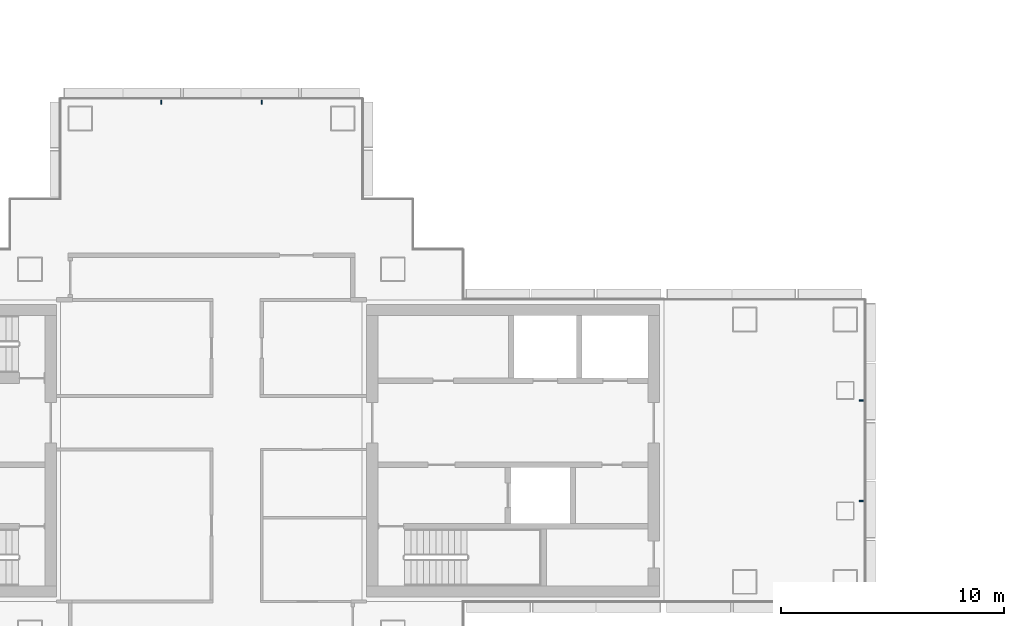
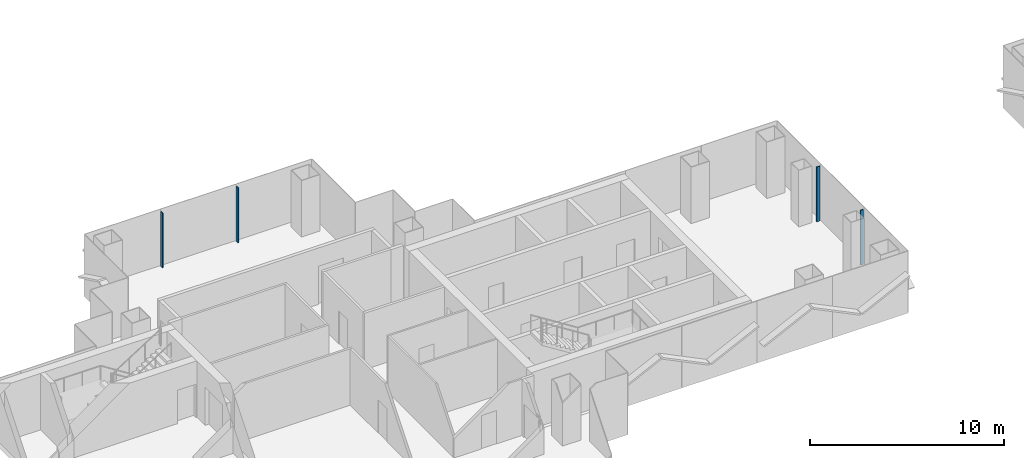
# One storey, part 4 of 16: 4 members, 2 elements without a shape of their own.
"""IFC4 building model written with IfcOpenShell, lengths in metres."""

from ifc_helpers import new_model, si_unit, direction, frame, origin, origin_2d, place, context, subcontext, project, spatial, rectangle, extrude, material, layer, layer_set, material_profile, profile_set, type_object, element, aggregate, save


model = new_model("IFC4")

# Units and contexts
model_context = context("Model", 3, precision=1e-05, world=origin(), true_north=direction((0.0, 1.0)))
body_context = subcontext(model_context, "Body", "Model", "MODEL_VIEW")
ifc_project = project(units=[si_unit("LENGTHUNIT", "METRE"), si_unit("AREAUNIT", "SQUARE_METRE"), si_unit("VOLUMEUNIT", "CUBIC_METRE"), si_unit("PLANEANGLEUNIT", "RADIAN"), si_unit("MASSUNIT", "GRAM", prefix="KILO")], contexts=[model_context])

# Site, building, storey
site_placement = place(None, origin())
site = spatial("IfcSite", under=ifc_project, at=site_placement, CompositionType="ELEMENT")
building_placement = place(site_placement, origin())
building = spatial("IfcBuilding", under=site, at=building_placement, Name="Shamsa Quay Exchange Towers", CompositionType="ELEMENT")
storey_placement = place(building_placement, frame((0.0, 0.0, 146.699951171875)))
storey = spatial("IfcBuildingStorey", under=building, at=storey_placement, Name="L34", CompositionType="ELEMENT", Elevation=146.699951171875)

# Curtain wall, members
ifc_material = material(Name="Aluminium EN AW-6063 T6, black anodised", Category="aluminium")
ifc_layer = layer(ifc_material, 0.280029296875)
ifc_layer_set = layer_set([ifc_layer], Name="CW-1 UNITISED VISION GLASS")
curtain_wall_type = type_object("IfcCurtainWallType", Name="CW-1 UNITISED VISION GLASS", PredefinedType="NOTDEFINED", material=ifc_layer_set)
curtain_wall_1_placement = place(storey_placement, origin())
curtain_wall_1 = element("IfcCurtainWall", 1, at=curtain_wall_1_placement, inside=storey, type_object=curtain_wall_type, Name="CW1 T1-END-U+ L34", PredefinedType="NOTDEFINED")
ifc_material_profile = material_profile(ifc_material, rectangle(XDim=0.179931640625, YDim=0.06005859375, at=origin_2d()), Name="MU60x180")
ifc_profile_set = profile_set([ifc_material_profile], Name="Aluminium EN AW-6063 T6, black anodised")
member_type = type_object("IfcMemberType", Name="CW1 MULLION 60x180", PredefinedType="MULLION", material=ifc_profile_set)
member_1_placement = place(storey_placement, frame((-4.64990234375, -2.25, 0.0), z_axis=(0.0, 0.0, 1.0), x_axis=(-1.0, 0.0, 0.0)))
member_1 = element("IfcMember", 2, at=member_1_placement, type_object=member_type, Name="CW1 mullion", PredefinedType="MULLION", context=body_context, shape_type="SweptSolid", body=[
    extrude(rectangle(XDim=0.179931640625, YDim=0.06005859375, at=origin_2d()), origin(), (0.0, 0.0, 1.0), 3.449951171875),
])
member_2_placement = place(storey_placement, frame((-4.64990234375, 2.25, 0.0), z_axis=(0.0, 0.0, 1.0), x_axis=(-1.0, 0.0, 0.0)))
member_2 = element("IfcMember", 3, at=member_2_placement, type_object=member_type, Name="CW1 mullion", PredefinedType="MULLION", context=body_context, shape_type="SweptSolid", body=[
    extrude(rectangle(XDim=0.179931640625, YDim=0.06005859375, at=origin_2d()), origin(), (0.0, 0.0, 1.0), 3.449951171875),
])
aggregate(curtain_wall_1, [member_1, member_2])

curtain_wall_2_placement = place(storey_placement, origin())
curtain_wall_2 = element("IfcCurtainWall", 4, at=curtain_wall_2_placement, inside=storey, type_object=curtain_wall_type, Name="CW1 T1-END-V+ L34", PredefinedType="NOTDEFINED")
member_3_placement = place(storey_placement, frame((-31.5, 15.60009765625, 0.0), z_axis=(0.0, 0.0, 1.0), x_axis=(0.0, -1.0, 0.0)))
member_3 = element("IfcMember", 5, at=member_3_placement, type_object=member_type, Name="CW1 mullion", PredefinedType="MULLION", context=body_context, shape_type="SweptSolid", body=[
    extrude(rectangle(XDim=0.179931640625, YDim=0.06005859375, at=origin_2d()), origin(), (0.0, 0.0, 1.0), 3.449951171875),
])
member_4_placement = place(storey_placement, frame((-36.0, 15.60009765625, 0.0), z_axis=(0.0, 0.0, 1.0), x_axis=(0.0, -1.0, 0.0)))
member_4 = element("IfcMember", 6, at=member_4_placement, type_object=member_type, Name="CW1 mullion", PredefinedType="MULLION", context=body_context, shape_type="SweptSolid", body=[
    extrude(rectangle(XDim=0.179931640625, YDim=0.06005859375, at=origin_2d()), origin(), (0.0, 0.0, 1.0), 3.449951171875),
])
aggregate(curtain_wall_2, [member_3, member_4])

save(model, "model.ifc")
